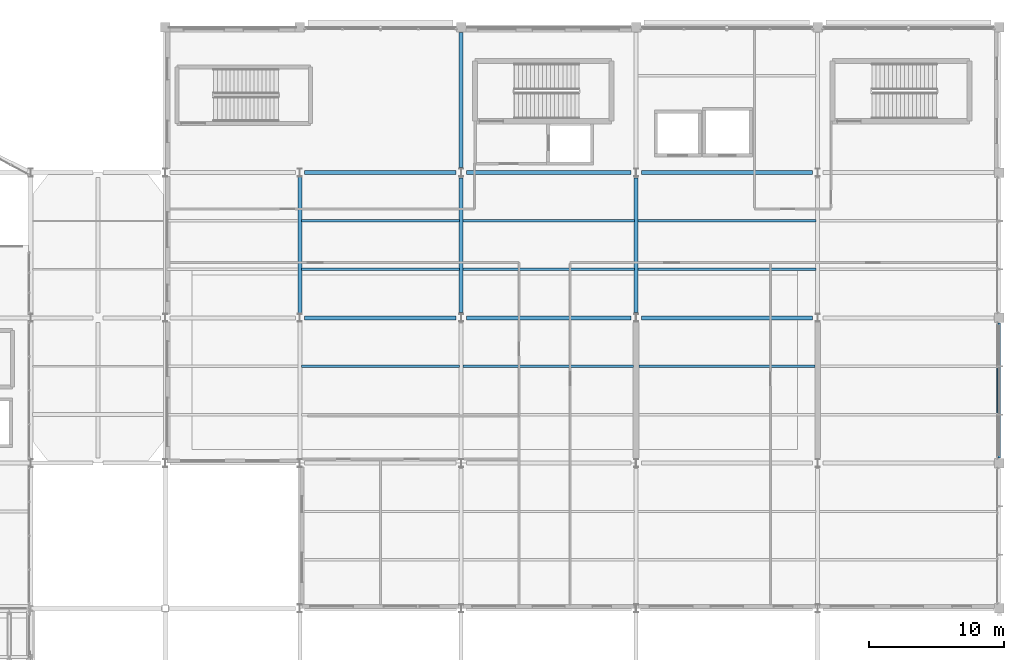
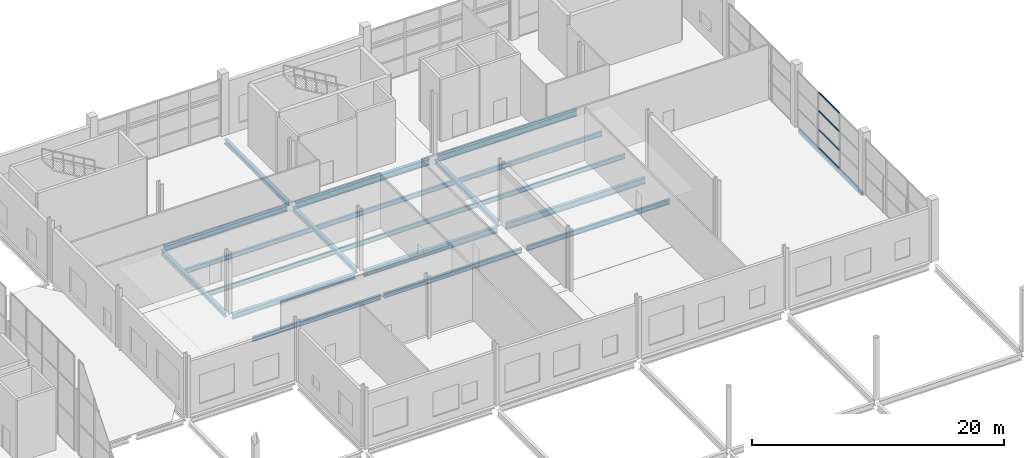
# One storey, part 139 of 191: 20 beams, 4 members, 1 element without a shape of its own.
"""IFC4 building model written with IfcOpenShell, lengths in metres."""

from ifc_helpers import new_model, si_unit, direction, frame, origin, origin_2d, place, context, subcontext, project, spatial, hollow_rectangle, i_section, extrude, material, layer, layer_set, material_profile, profile_set, type_object, element, aggregate, save


model = new_model("IFC4")

# Units and contexts
model_context = context("Model", 3, precision=1e-05, world=origin(), true_north=direction((0.0, 1.0)))
body_context = subcontext(model_context, "Body", "Model", "MODEL_VIEW")
ifc_project = project(units=[si_unit("LENGTHUNIT", "METRE"), si_unit("AREAUNIT", "SQUARE_METRE"), si_unit("VOLUMEUNIT", "CUBIC_METRE"), si_unit("PLANEANGLEUNIT", "RADIAN"), si_unit("MASSUNIT", "GRAM", prefix="KILO")], contexts=[model_context])

# Site, building, storey
site_placement = place(None, origin())
site = spatial("IfcSite", under=ifc_project, at=site_placement, CompositionType="ELEMENT")
building_placement = place(site_placement, origin())
building = spatial("IfcBuilding", under=site, at=building_placement, Name="Tamarisk Ironworks Central Station", CompositionType="ELEMENT")
storey_placement = place(building_placement, frame((0.0, 0.0, 6.60009765625)))
storey = spatial("IfcBuildingStorey", under=building, at=storey_placement, Name="L01", CompositionType="ELEMENT", Elevation=6.60009765625)

# Beams
ifc_material_1 = material(Name="Structural steel S355J2", Category="steel")
ifc_material_profile_1 = material_profile(ifc_material_1, i_section(OverallWidth=0.18994140625, OverallDepth=0.449951171875, WebThickness=0.009521484375, FlangeThickness=0.0146484375, at=origin_2d()), Name="IPE 450")
ifc_profile_set_1 = profile_set([ifc_material_profile_1], Name="Structural steel S355J2")
beam_type_1 = type_object("IfcBeamType", Name="BM-B03", PredefinedType="BEAM", material=ifc_profile_set_1)
for number, where, z_axis, x_axis, name in (
    (1, (128.135009765625, 97.199951171875, -0.47509765625), (1.0, 0.0, 0.0), (0.0, 1.0, 0.0), "L01 secondary composite beam 0077"),
    (2, (128.135009765625, 104.39990234375, -0.47509765625), (1.0, 0.0, 0.0), (0.0, 1.0, 0.0), "L01 secondary composite beam 0078"),
    (3, (128.135009765625, 108.0, -0.47509765625), (1.0, 0.0, 0.0), (0.0, 1.0, 0.0), "L01 secondary composite beam 0079"),
):
    element("IfcBeam", number, at=place(storey_placement, frame(where, z_axis=z_axis, x_axis=x_axis)), inside=storey, type_object=beam_type_1, Name=name, PredefinedType="BEAM", context=body_context, shape_type="SweptSolid", body=[
        extrude(i_section(OverallWidth=0.18994140625, OverallDepth=0.449951171875, WebThickness=0.009521484375, FlangeThickness=0.0146484375, at=origin_2d()), origin(), (0.0, 0.0, 1.0), 11.72998046875),
    ])
beam_1_placement = place(storey_placement, frame((140.135009765625, 97.199951171875, -0.47509765625), z_axis=(1.0, 0.0, 0.0), x_axis=(0.0, 1.0, 0.0)))
element("IfcBeam", 4, at=beam_1_placement, inside=storey, type_object=beam_type_1, Name="L01 secondary composite beam 0081", PredefinedType="BEAM", context=body_context, shape_type="SweptSolid", body=[
    extrude(i_section(OverallWidth=0.18994140625, OverallDepth=0.449951171875, WebThickness=0.009521484375, FlangeThickness=0.0146484375, at=origin_2d()), origin(), (0.0, 0.0, 1.0), 12.6650390625),
])
for number, where, z_axis, x_axis, name in (
    (5, (140.135009765625, 104.39990234375, -0.47509765625), (1.0, 0.0, 0.0), (0.0, 1.0, 0.0), "L01 secondary composite beam 0082"),
    (6, (140.135009765625, 108.0, -0.47509765625), (1.0, 0.0, 0.0), (0.0, 1.0, 0.0), "L01 secondary composite beam 0083"),
):
    element("IfcBeam", number, at=place(storey_placement, frame(where, z_axis=z_axis, x_axis=x_axis)), inside=storey, type_object=beam_type_1, Name=name, PredefinedType="BEAM", context=body_context, shape_type="SweptSolid", body=[
        extrude(i_section(OverallWidth=0.18994140625, OverallDepth=0.449951171875, WebThickness=0.009521484375, FlangeThickness=0.0146484375, at=origin_2d()), origin(), (0.0, 0.0, 1.0), 12.72998046875),
    ])
beam_2_placement = place(storey_placement, frame((153.199951171875, 97.199951171875, -0.47509765625), z_axis=(1.0, 0.0, 0.0), x_axis=(0.0, 1.0, 0.0)))
element("IfcBeam", 7, at=beam_2_placement, inside=storey, type_object=beam_type_1, Name="L01 secondary composite beam 0085", PredefinedType="BEAM", context=body_context, shape_type="SweptSolid", body=[
    extrude(i_section(OverallWidth=0.18994140625, OverallDepth=0.449951171875, WebThickness=0.009521484375, FlangeThickness=0.0146484375, at=origin_2d()), origin(), (0.0, 0.0, 1.0), 13.10009765625),
])
for number, where, z_axis, x_axis, name in (
    (8, (153.135009765625, 104.39990234375, -0.47509765625), (1.0, 0.0, 0.0), (0.0, 1.0, 0.0), "L01 secondary composite beam 0086"),
    (9, (153.135009765625, 108.0, -0.47509765625), (1.0, 0.0, 0.0), (0.0, 1.0, 0.0), "L01 secondary composite beam 0087"),
):
    element("IfcBeam", number, at=place(storey_placement, frame(where, z_axis=z_axis, x_axis=x_axis)), inside=storey, type_object=beam_type_1, Name=name, PredefinedType="BEAM", context=body_context, shape_type="SweptSolid", body=[
        extrude(i_section(OverallWidth=0.18994140625, OverallDepth=0.449951171875, WebThickness=0.009521484375, FlangeThickness=0.0146484375, at=origin_2d()), origin(), (0.0, 0.0, 1.0), 13.22998046875),
    ])
ifc_material_profile_2 = material_profile(ifc_material_1, i_section(OverallWidth=0.300048828125, OverallDepth=0.590087890625, WebThickness=0.012939453125, FlangeThickness=0.02490234375, at=origin_2d()), Name="HEA 600")
ifc_profile_set_2 = profile_set([ifc_material_profile_2], Name="Structural steel S355J2")
beam_type_2 = type_object("IfcBeamType", Name="BM-G03", PredefinedType="BEAM", material=ifc_profile_set_2)
beam_3_placement = place(storey_placement, frame((140.387939453125, 100.800048828125, -0.545166015625), z_axis=(1.0, 0.0, 0.0), x_axis=(0.0, 1.0, 0.0)))
element("IfcBeam", 10, at=beam_3_placement, inside=storey, type_object=beam_type_2, Name="L01 primary girder X-0123", PredefinedType="BEAM", context=body_context, shape_type="SweptSolid", body=[
    extrude(i_section(OverallWidth=0.300048828125, OverallDepth=0.590087890625, WebThickness=0.012939453125, FlangeThickness=0.02490234375, at=origin_2d()), origin(), (0.0, 0.0, 1.0), 12.22412109375),
])
beam_4_placement = place(storey_placement, frame((153.387939453125, 100.800048828125, -0.545166015625), z_axis=(1.0, 0.0, 0.0), x_axis=(0.0, 1.0, 0.0)))
element("IfcBeam", 11, at=beam_4_placement, inside=storey, type_object=beam_type_2, Name="L01 primary girder X-0124", PredefinedType="BEAM", context=body_context, shape_type="SweptSolid", body=[
    extrude(i_section(OverallWidth=0.300048828125, OverallDepth=0.590087890625, WebThickness=0.012939453125, FlangeThickness=0.02490234375, at=origin_2d()), origin(), (0.0, 0.0, 1.0), 12.72412109375),
])
beam_5_placement = place(storey_placement, frame((140.387939453125, 111.60009765625, -0.545166015625), z_axis=(1.0, 0.0, 0.0), x_axis=(0.0, 1.0, 0.0)))
element("IfcBeam", 12, at=beam_5_placement, inside=storey, type_object=beam_type_2, Name="L01 primary girder X-0140", PredefinedType="BEAM", context=body_context, shape_type="SweptSolid", body=[
    extrude(i_section(OverallWidth=0.300048828125, OverallDepth=0.590087890625, WebThickness=0.012939453125, FlangeThickness=0.02490234375, at=origin_2d()), origin(), (0.0, 0.0, 1.0), 12.22412109375),
])
beam_6_placement = place(storey_placement, frame((153.387939453125, 111.60009765625, -0.545166015625), z_axis=(1.0, 0.0, 0.0), x_axis=(0.0, 1.0, 0.0)))
element("IfcBeam", 13, at=beam_6_placement, inside=storey, type_object=beam_type_2, Name="L01 primary girder X-0141", PredefinedType="BEAM", context=body_context, shape_type="SweptSolid", body=[
    extrude(i_section(OverallWidth=0.300048828125, OverallDepth=0.590087890625, WebThickness=0.012939453125, FlangeThickness=0.02490234375, at=origin_2d()), origin(), (0.0, 0.0, 1.0), 12.72412109375),
])
ifc_material_profile_3 = material_profile(ifc_material_1, i_section(OverallWidth=0.300048828125, OverallDepth=0.489990234375, WebThickness=0.011962890625, FlangeThickness=0.02294921875, at=origin_2d()), Name="HEA 500")
ifc_profile_set_3 = profile_set([ifc_material_profile_3], Name="Structural steel S355J2")
beam_type_3 = type_object("IfcBeamType", Name="BM-G05", PredefinedType="BEAM", material=ifc_profile_set_3)
for number, where, z_axis, x_axis, name in (
    (14, (128.337890625, 100.800048828125, -0.4951171875), (1.0, 0.0, 0.0), (0.0, 1.0, 0.0), "L01 primary girder X-0122"),
    (15, (128.337890625, 111.60009765625, -0.4951171875), (1.0, 0.0, 0.0), (0.0, 1.0, 0.0), "L01 primary girder X-0139"),
):
    element("IfcBeam", number, at=place(storey_placement, frame(where, z_axis=z_axis, x_axis=x_axis)), inside=storey, type_object=beam_type_3, Name=name, PredefinedType="BEAM", context=body_context, shape_type="SweptSolid", body=[
        extrude(i_section(OverallWidth=0.300048828125, OverallDepth=0.489990234375, WebThickness=0.011962890625, FlangeThickness=0.02294921875, at=origin_2d()), origin(), (0.0, 0.0, 1.0), 11.274169921875),
    ])
ifc_material_profile_4 = material_profile(ifc_material_1, i_section(OverallWidth=0.300048828125, OverallDepth=0.43994140625, WebThickness=0.011474609375, FlangeThickness=0.02099609375, at=origin_2d()), Name="HEA 450")
ifc_profile_set_4 = profile_set([ifc_material_profile_4], Name="Structural steel S355J2")
beam_type_4 = type_object("IfcBeamType", Name="BM-G06", PredefinedType="BEAM", material=ifc_profile_set_4)
beam_7_placement = place(storey_placement, frame((128.0, 101.137939453125, -0.47021484375), z_axis=(0.0, 1.0, 0.0), x_axis=(-1.0, 0.0, 0.0)))
element("IfcBeam", 16, at=beam_7_placement, inside=storey, type_object=beam_type_4, Name="L01 primary girder Y-0258", PredefinedType="BEAM", context=body_context, shape_type="SweptSolid", body=[
    extrude(i_section(OverallWidth=0.300048828125, OverallDepth=0.43994140625, WebThickness=0.011474609375, FlangeThickness=0.02099609375, at=origin_2d()), origin(), (0.0, 0.0, 1.0), 10.1240234375),
])
for number, where, z_axis, x_axis, name in (
    (17, (140.0, 101.18798828125, -0.47021484375), (0.0, 1.0, 0.0), (-1.0, 0.0, 0.0), "L01 primary girder Y-0267"),
    (18, (140.0, 111.988037109375, -0.47021484375), (0.0, 1.0, 0.0), (-1.0, 0.0, 0.0), "L01 primary girder Y-0268"),
    (19, (153.0, 101.18798828125, -0.47021484375), (0.0, 1.0, 0.0), (-1.0, 0.0, 0.0), "L01 primary girder Y-0276"),
):
    element("IfcBeam", number, at=place(storey_placement, frame(where, z_axis=z_axis, x_axis=x_axis)), inside=storey, type_object=beam_type_4, Name=name, PredefinedType="BEAM", context=body_context, shape_type="SweptSolid", body=[
        extrude(i_section(OverallWidth=0.300048828125, OverallDepth=0.43994140625, WebThickness=0.011474609375, FlangeThickness=0.02099609375, at=origin_2d()), origin(), (0.0, 0.0, 1.0), 10.02392578125),
    ])
ifc_material_profile_5 = material_profile(ifc_material_1, hollow_rectangle(XDim=0.199951171875, YDim=0.35009765625, WallThickness=0.012451171875, at=origin_2d()), Name="RHS 350x200x12.5")
ifc_profile_set_5 = profile_set([ifc_material_profile_5], Name="Structural steel S355J2")
beam_type_5 = type_object("IfcBeamType", Name="BM-SP01", PredefinedType="SPANDREL", material=ifc_profile_set_5)
beam_8_placement = place(storey_placement, frame((180.0, 90.387939453125, -0.425048828125), z_axis=(0.0, 1.0, 0.0), x_axis=(-1.0, 0.0, 0.0)))
element("IfcBeam", 20, at=beam_8_placement, inside=storey, type_object=beam_type_5, Name="L01 primary girder Y-0294", PredefinedType="SPANDREL", context=body_context, shape_type="SweptSolid", body=[
    extrude(hollow_rectangle(XDim=0.199951171875, YDim=0.35009765625, WallThickness=0.012451171875, at=origin_2d()), origin(), (0.0, 0.0, 1.0), 10.024169921875),
])

# Curtain wall, members
ifc_material_2 = material(Name="Anodized aluminium alloy 6063-T6", Category="aluminium")
ifc_layer = layer(ifc_material_2, 0.179931640625)
ifc_layer_set = layer_set([ifc_layer], Name="Anodized aluminium alloy 6063-T6")
curtain_wall_type = type_object("IfcCurtainWallType", Name="CW-16", PredefinedType="USERDEFINED", material=ifc_layer_set)
curtain_wall_placement = place(storey_placement, origin())
curtain_wall = element("IfcCurtainWall", 21, at=curtain_wall_placement, inside=storey, type_object=curtain_wall_type, Name="Operations L01 east facade curtain wall 090", ObjectType="GLAZED CURTAIN WALL", PredefinedType="USERDEFINED")
ifc_material_profile_6 = material_profile(ifc_material_2, hollow_rectangle(XDim=0.06494140625, YDim=0.135009765625, WallThickness=0.00341796875, at=origin_2d()), Name="ALUM 135x65")
ifc_profile_set_6 = profile_set([ifc_material_profile_6], Name="Anodized aluminium alloy 6063-T6")
member_type = type_object("IfcMemberType", Name="CWT-02", PredefinedType="USERDEFINED", material=ifc_profile_set_6)
member_1_placement = place(storey_placement, frame((179.85009765625, 93.744384765625, 0.032470703125), z_axis=(0.0, 1.0, 0.0), x_axis=(-1.0, 0.0, 0.0)))
member_1 = element("IfcMember", 22, at=member_1_placement, type_object=member_type, Name="CW16 transom 2.1", ObjectType="TRANSOM", PredefinedType="USERDEFINED", context=body_context, shape_type="SweptSolid", body=[
    extrude(hollow_rectangle(XDim=0.06494140625, YDim=0.135009765625, WallThickness=0.00341796875, at=origin_2d()), origin(), (0.0, 0.0, 1.0), 3.31103515625),
])
member_2_placement = place(storey_placement, frame((179.85009765625, 93.744384765625, 1.806640625), z_axis=(0.0, 1.0, 0.0), x_axis=(-1.0, 0.0, 0.0)))
member_2 = element("IfcMember", 23, at=member_2_placement, type_object=member_type, Name="CW16 transom 2.2", ObjectType="TRANSOM", PredefinedType="USERDEFINED", context=body_context, shape_type="SweptSolid", body=[
    extrude(hollow_rectangle(XDim=0.06494140625, YDim=0.135009765625, WallThickness=0.00341796875, at=origin_2d()), origin(), (0.0, 0.0, 1.0), 3.31103515625),
])
member_3_placement = place(storey_placement, frame((179.85009765625, 93.744384765625, 3.61328125), z_axis=(0.0, 1.0, 0.0), x_axis=(-1.0, 0.0, 0.0)))
member_3 = element("IfcMember", 24, at=member_3_placement, type_object=member_type, Name="CW16 transom 2.3", ObjectType="TRANSOM", PredefinedType="USERDEFINED", context=body_context, shape_type="SweptSolid", body=[
    extrude(hollow_rectangle(XDim=0.06494140625, YDim=0.135009765625, WallThickness=0.00341796875, at=origin_2d()), origin(), (0.0, 0.0, 1.0), 3.31103515625),
])
member_4_placement = place(storey_placement, frame((179.85009765625, 93.744384765625, 5.387451171875), z_axis=(0.0, 1.0, 0.0), x_axis=(-1.0, 0.0, 0.0)))
member_4 = element("IfcMember", 25, at=member_4_placement, type_object=member_type, Name="CW16 transom 2.4", ObjectType="TRANSOM", PredefinedType="USERDEFINED", context=body_context, shape_type="SweptSolid", body=[
    extrude(hollow_rectangle(XDim=0.06494140625, YDim=0.135009765625, WallThickness=0.00341796875, at=origin_2d()), origin(), (0.0, 0.0, 1.0), 3.31103515625),
])
aggregate(curtain_wall, [member_1, member_2, member_3, member_4])

save(model, "model.ifc")
